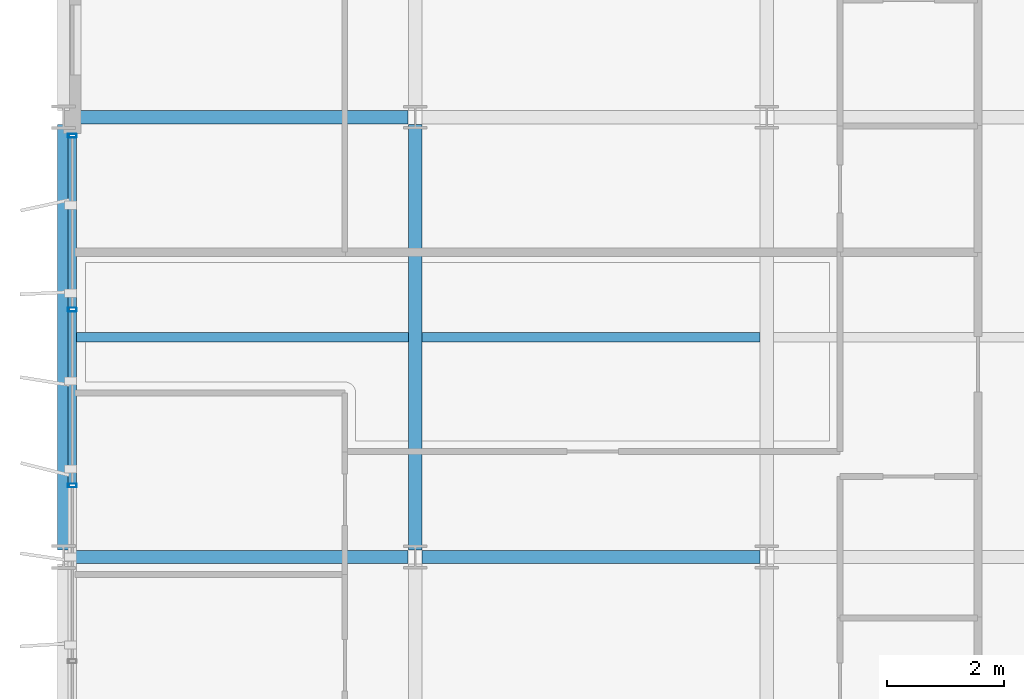
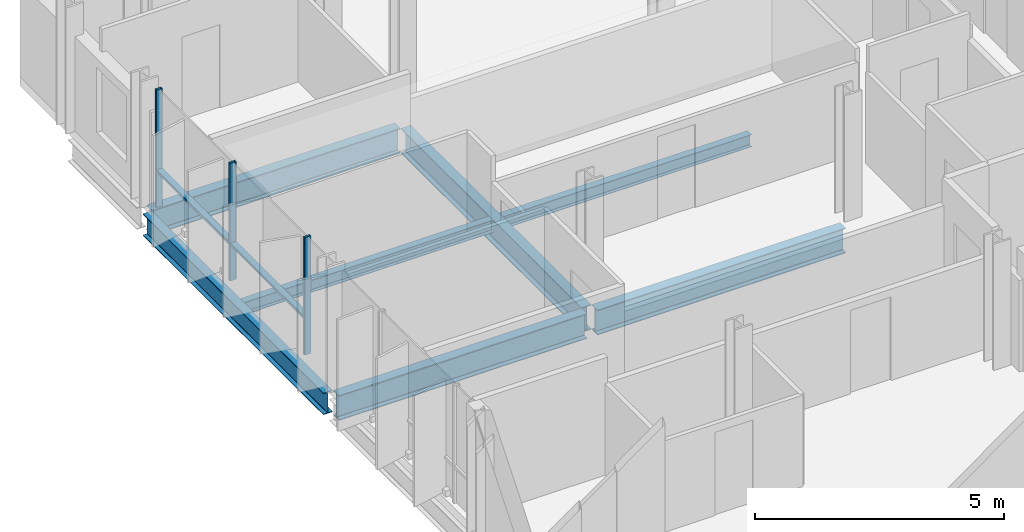
# One storey, part 7 of 40: 7 beams, 5 members, 1 element without a shape of its own.
"""IFC4 building model written with IfcOpenShell, lengths in metres."""

from ifc_helpers import new_model, si_unit, direction, frame, origin, origin_2d, place, context, subcontext, project, spatial, hollow_rectangle, i_section, extrude, material, layer, layer_set, material_profile, profile_set, type_object, element, aggregate, save


model = new_model("IFC4")

# Units and contexts
model_context = context("Model", 3, precision=1e-05, world=origin(), true_north=direction((0.0, 1.0)))
body_context = subcontext(model_context, "Body", "Model", "MODEL_VIEW")
ifc_project = project(units=[si_unit("LENGTHUNIT", "METRE"), si_unit("AREAUNIT", "SQUARE_METRE"), si_unit("VOLUMEUNIT", "CUBIC_METRE"), si_unit("PLANEANGLEUNIT", "RADIAN"), si_unit("MASSUNIT", "GRAM", prefix="KILO")], contexts=[model_context])

# Site, building, storey
site_placement = place(None, origin())
site = spatial("IfcSite", under=ifc_project, at=site_placement, CompositionType="ELEMENT")
building_placement = place(site_placement, origin())
building = spatial("IfcBuilding", under=site, at=building_placement, Name="Brevholm Reach", CompositionType="ELEMENT")
storey_placement = place(building_placement, frame((0.0, 0.0, 160.39990234375)))
storey = spatial("IfcBuildingStorey", under=building, at=storey_placement, Name="L48", CompositionType="ELEMENT", Elevation=160.39990234375)

# Beams
ifc_material_1 = material(Name="Structural Steel S355J2", Category="steel")
ifc_material_profile_1 = material_profile(ifc_material_1, i_section(OverallWidth=0.1650390625, OverallDepth=0.303466796875, WebThickness=0.006103515625, FlangeThickness=0.01025390625, FilletRadius=0.0087890625, at=origin_2d()), Name="UKB 305x165x40")
ifc_profile_set_1 = profile_set([ifc_material_profile_1], Name="Structural Steel S355J2")
beam_type_1 = type_object("IfcBeamType", Name="BM-B305", PredefinedType="BEAM", material=ifc_profile_set_1)
beam_1_placement = place(storey_placement, frame((0.104736328125, 19.75, -0.37158203125), z_axis=(1.0, 0.0, 0.0), x_axis=(0.0, 1.0, 0.0)))
element("IfcBeam", 1, at=beam_1_placement, inside=storey, type_object=beam_type_1, Name="L48 Composite Secondary Floor Beam", PredefinedType="BEAM", context=body_context, shape_type="SweptSolid", body=[
    extrude(i_section(OverallWidth=0.1650390625, OverallDepth=0.303466796875, WebThickness=0.006103515625, FlangeThickness=0.01025390625, FilletRadius=0.0087890625, at=origin_2d()), origin(), (0.0, 0.0, 1.0), 5.78076171875),
])
beam_2_placement = place(storey_placement, frame((6.114501953125, 19.75, -0.37158203125), z_axis=(1.0, 0.0, 0.0), x_axis=(0.0, 1.0, 0.0)))
element("IfcBeam", 2, at=beam_2_placement, inside=storey, type_object=beam_type_1, Name="L48 Composite Secondary Floor Beam", PredefinedType="BEAM", context=body_context, shape_type="SweptSolid", body=[
    extrude(i_section(OverallWidth=0.1650390625, OverallDepth=0.303466796875, WebThickness=0.006103515625, FlangeThickness=0.01025390625, FilletRadius=0.0087890625, at=origin_2d()), origin(), (0.0, 0.0, 1.0), 5.77099609375),
])
ifc_material_2 = material(Name="Structural Steel S355J2", Category="steel")
ifc_material_profile_2 = material_profile(ifc_material_2, i_section(OverallWidth=0.209228515625, OverallDepth=0.533203125, WebThickness=0.010009765625, FlangeThickness=0.015625, FilletRadius=0.0126953125, at=origin_2d()), Name="UKB 533x210x92")
ifc_profile_set_2 = profile_set([ifc_material_profile_2], Name="Structural Steel S355J2")
beam_type_2 = type_object("IfcBeamType", Name="BM-SP533", PredefinedType="SPANDREL", material=ifc_profile_set_2)
beam_3_placement = place(storey_placement, frame((0.0, 16.1201171875, -0.486572265625), z_axis=(0.0, 1.0, 0.0), x_axis=(-1.0, 0.0, 0.0)))
element("IfcBeam", 3, at=beam_3_placement, inside=storey, type_object=beam_type_2, Name="L48 SP-02 Framing Beam", PredefinedType="SPANDREL", context=body_context, shape_type="SweptSolid", body=[
    extrude(i_section(OverallWidth=0.209228515625, OverallDepth=0.533203125, WebThickness=0.010009765625, FlangeThickness=0.015625, FilletRadius=0.0126953125, at=origin_2d()), origin(), (0.0, 0.0, 1.0), 7.259765625),
])
ifc_material_3 = material(Name="Structural Steel S355J2", Category="steel")
ifc_material_profile_3 = material_profile(ifc_material_3, i_section(OverallWidth=0.22900390625, OverallDepth=0.6123046875, WebThickness=0.011962890625, FlangeThickness=0.01953125, FilletRadius=0.0126953125, at=origin_2d()), Name="UKB 610x229x125")
ifc_profile_set_3 = profile_set([ifc_material_profile_3], Name="Structural Steel S355J2")
beam_type_3 = type_object("IfcBeamType", Name="BM-SP610", PredefinedType="SPANDREL", material=ifc_profile_set_3)
for number, where, z_axis, x_axis, name in (
    (4, (0.1201171875, 16.0, -0.526123046875), (1.0, 0.0, 0.0), (0.0, 1.0, 0.0), "L48 SP-01 Framing Beam"),
    (5, (6.1201171875, 16.0, -0.526123046875), (1.0, 0.0, 0.0), (0.0, 1.0, 0.0), "L48 SP-01 Framing Beam"),
    (6, (0.1201171875, 23.5, -0.526123046875), (1.0, 0.0, 0.0), (0.0, 1.0, 0.0), "L48 SP-01 Framing Beam"),
):
    element("IfcBeam", number, at=place(storey_placement, frame(where, z_axis=z_axis, x_axis=x_axis)), inside=storey, type_object=beam_type_3, Name=name, PredefinedType="SPANDREL", context=body_context, shape_type="SweptSolid", body=[
        extrude(i_section(OverallWidth=0.22900390625, OverallDepth=0.6123046875, WebThickness=0.011962890625, FlangeThickness=0.01953125, FilletRadius=0.0126953125, at=origin_2d()), origin(), (0.0, 0.0, 1.0), 5.759765625),
    ])
beam_4_placement = place(storey_placement, frame((6.0, 16.1201171875, -0.526123046875), z_axis=(0.0, 1.0, 0.0), x_axis=(-1.0, 0.0, 0.0)))
element("IfcBeam", 7, at=beam_4_placement, inside=storey, type_object=beam_type_3, Name="L48 SP-01 Framing Beam", PredefinedType="SPANDREL", context=body_context, shape_type="SweptSolid", body=[
    extrude(i_section(OverallWidth=0.22900390625, OverallDepth=0.6123046875, WebThickness=0.011962890625, FlangeThickness=0.01953125, FilletRadius=0.0126953125, at=origin_2d()), origin(), (0.0, 0.0, 1.0), 7.259765625),
])

# Curtain wall, members
ifc_material_4 = material(Name="Dark Anodised Aluminium 6063-T6 and Solar-Control Glass", Category="aluminium")
ifc_layer = layer(ifc_material_4, 0.14990234375)
ifc_layer_set = layer_set([ifc_layer], Name="Dark Anodised Aluminium 6063-T6 and Solar-Control Glass")
curtain_wall_type = type_object("IfcCurtainWallType", Name="CW-01", PredefinedType="NOTDEFINED", material=ifc_layer_set)
curtain_wall_placement = place(storey_placement, origin())
curtain_wall = element("IfcCurtainWall", 8, at=curtain_wall_placement, inside=storey, type_object=curtain_wall_type, Name="L48 Curtain Wall CW-01", PredefinedType="NOTDEFINED")
ifc_material_5 = material(Name="Dark Anodised Aluminium 6063-T6", Category="aluminium")
ifc_material_profile_4 = material_profile(ifc_material_5, hollow_rectangle(XDim=0.06494140625, YDim=0.14990234375, WallThickness=0.0048828125, InnerFilletRadius=0.0048828125, OuterFilletRadius=0.010009765625, at=origin_2d()), Name="RHS 150x65x5")
ifc_profile_set_4 = profile_set([ifc_material_profile_4], Name="Dark Anodised Aluminium 6063-T6")
member_type_1 = type_object("IfcMemberType", Name="CWM-150", PredefinedType="MULLION", material=ifc_profile_set_4)
member_1_placement = place(storey_placement, frame((0.14990234375, 23.1875, 0.0), z_axis=(0.0, 0.0, 1.0), x_axis=(0.0, -1.0, 0.0)))
member_1 = element("IfcMember", 9, at=member_1_placement, type_object=member_type_1, Name="CM-150 Mullion 1", PredefinedType="MULLION", context=body_context, shape_type="SweptSolid", body=[
    extrude(hollow_rectangle(XDim=0.06494140625, YDim=0.14990234375, WallThickness=0.0048828125, InnerFilletRadius=0.0048828125, OuterFilletRadius=0.010009765625, at=origin_2d()), origin(), (0.0, 0.0, 1.0), 2.880126953125),
])
member_2_placement = place(storey_placement, frame((0.14990234375, 20.219970703125, 0.0), z_axis=(0.0, 0.0, 1.0), x_axis=(0.0, -1.0, 0.0)))
member_2 = element("IfcMember", 10, at=member_2_placement, type_object=member_type_1, Name="CM-150 Mullion 2", PredefinedType="MULLION", context=body_context, shape_type="SweptSolid", body=[
    extrude(hollow_rectangle(XDim=0.06494140625, YDim=0.14990234375, WallThickness=0.0048828125, InnerFilletRadius=0.0048828125, OuterFilletRadius=0.010009765625, at=origin_2d()), origin(), (0.0, 0.0, 1.0), 2.880126953125),
])
member_3_placement = place(storey_placement, frame((0.14990234375, 17.219970703125, 0.0), z_axis=(0.0, 0.0, 1.0), x_axis=(0.0, -1.0, 0.0)))
member_3 = element("IfcMember", 11, at=member_3_placement, type_object=member_type_1, Name="CM-150 Mullion 3", PredefinedType="MULLION", context=body_context, shape_type="SweptSolid", body=[
    extrude(hollow_rectangle(XDim=0.06494140625, YDim=0.14990234375, WallThickness=0.0048828125, InnerFilletRadius=0.0048828125, OuterFilletRadius=0.010009765625, at=origin_2d()), origin(), (0.0, 0.0, 1.0), 2.880126953125),
])
ifc_material_6 = material(Name="Dark Anodised Aluminium 6063-T6", Category="aluminium")
ifc_material_profile_5 = material_profile(ifc_material_6, hollow_rectangle(XDim=0.06494140625, YDim=0.14990234375, WallThickness=0.0048828125, InnerFilletRadius=0.0048828125, OuterFilletRadius=0.010009765625, at=origin_2d()), Name="RHS 150x65x5")
ifc_profile_set_5 = profile_set([ifc_material_profile_5], Name="Dark Anodised Aluminium 6063-T6")
member_type_2 = type_object("IfcMemberType", Name="CWT-150", PredefinedType="NOTDEFINED", material=ifc_profile_set_5)
member_4_placement = place(storey_placement, frame((0.14990234375, 23.155029296875, 0.900146484375), z_axis=(0.0, -1.0, 0.0), x_axis=(0.0, 0.0, 1.0)))
member_4 = element("IfcMember", 12, at=member_4_placement, type_object=member_type_2, Name="CT-150 Transom 1.1", ObjectType="TRANSOM", PredefinedType="USERDEFINED", context=body_context, shape_type="SweptSolid", body=[
    extrude(hollow_rectangle(XDim=0.06494140625, YDim=0.14990234375, WallThickness=0.0048828125, InnerFilletRadius=0.0048828125, OuterFilletRadius=0.010009765625, at=origin_2d()), origin(), (0.0, 0.0, 1.0), 2.902587890625),
])
member_5_placement = place(storey_placement, frame((0.14990234375, 20.1875, 0.900146484375), z_axis=(0.0, -1.0, 0.0), x_axis=(0.0, 0.0, 1.0)))
member_5 = element("IfcMember", 13, at=member_5_placement, type_object=member_type_2, Name="CT-150 Transom 2.1", ObjectType="TRANSOM", PredefinedType="USERDEFINED", context=body_context, shape_type="SweptSolid", body=[
    extrude(hollow_rectangle(XDim=0.06494140625, YDim=0.14990234375, WallThickness=0.0048828125, InnerFilletRadius=0.0048828125, OuterFilletRadius=0.010009765625, at=origin_2d()), origin(), (0.0, 0.0, 1.0), 2.93505859375),
])
aggregate(curtain_wall, [member_1, member_2, member_3, member_4, member_5])

save(model, "model.ifc")
